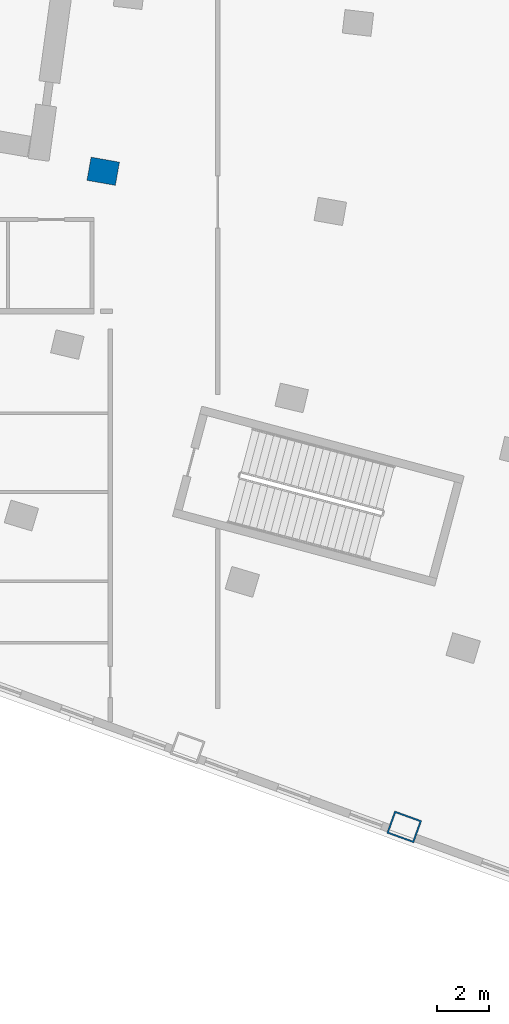
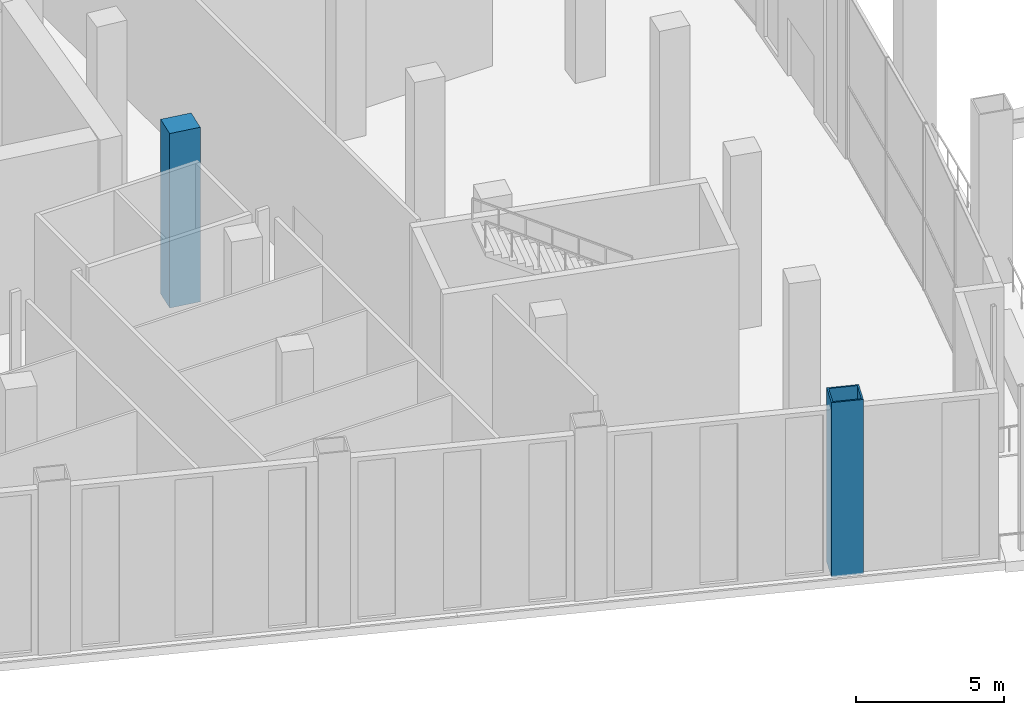
# One storey, part 3 of 27: 2 columns.
"""IFC4 building model written with IfcOpenShell, lengths in metres."""

from ifc_helpers import new_model, si_unit, direction, frame, origin, origin_2d, place, context, subcontext, project, spatial, rectangle, hollow_rectangle, extrude, material, material_profile, profile_set, type_object, element, save


model = new_model("IFC4")

# Units and contexts
model_context = context("Model", 3, precision=1e-05, world=origin(), true_north=direction((0.0, 1.0)))
body_context = subcontext(model_context, "Body", "Model", "MODEL_VIEW")
ifc_project = project(units=[si_unit("LENGTHUNIT", "METRE"), si_unit("AREAUNIT", "SQUARE_METRE"), si_unit("VOLUMEUNIT", "CUBIC_METRE"), si_unit("PLANEANGLEUNIT", "RADIAN"), si_unit("MASSUNIT", "GRAM", prefix="KILO")], contexts=[model_context])

# Site, building, storey
site_placement = place(None, origin())
site = spatial("IfcSite", under=ifc_project, at=site_placement, CompositionType="ELEMENT")
building_placement = place(site_placement, origin())
building = spatial("IfcBuilding", under=site, at=building_placement, Name="Alderwake Tower", CompositionType="ELEMENT")
storey_placement = place(building_placement, frame((0.0, 0.0, 75.199951171875)))
storey = spatial("IfcBuildingStorey", under=building, at=storey_placement, Name="L18", CompositionType="ELEMENT", Elevation=75.199951171875)

# Columns
ifc_material_1 = material(Name="Steel ASTM A572 Grade 50 concrete filled C70/85", Category="concrete")
ifc_material_profile_1 = material_profile(ifc_material_1, hollow_rectangle(XDim=0.89990234375, YDim=1.10009765625, WallThickness=0.06005859375, at=origin_2d()), Name="BOX 1100X900X60")
ifc_profile_set_1 = profile_set([ifc_material_profile_1], Name="Steel ASTM A572 Grade 50 concrete filled C70/85")
column_type_1 = type_object("IfcColumnType", Name="End column Z1", PredefinedType="COLUMN", material=ifc_profile_set_1)
column_1_placement = place(storey_placement, frame((45.516845703125, 15.821533203125, 0.0), z_axis=(0.0, 0.0, 1.0), x_axis=(0.338668949173, 0.940905597213, 0.0)))
element("IfcColumn", 1, at=column_1_placement, inside=storey, type_object=column_type_1, Name="Column R01-C4", PredefinedType="COLUMN", context=body_context, shape_type="SweptSolid", body=[
    extrude(hollow_rectangle(XDim=0.89990234375, YDim=1.10009765625, WallThickness=0.06005859375, at=origin_2d()), origin(), (0.0, 0.0, 1.0), 7.199951171875),
])
ifc_material_2 = material(Name="Concrete C70/85", Category="concrete")
ifc_material_profile_2 = material_profile(ifc_material_2, rectangle(XDim=0.89990234375, YDim=1.10009765625, at=origin_2d()), Name="RC 1100X900")
ifc_profile_set_2 = profile_set([ifc_material_profile_2], Name="Concrete C70/85")
column_type_2 = type_object("IfcColumnType", Name="Interior column Z1", PredefinedType="COLUMN", material=ifc_profile_set_2)
column_2_placement = place(storey_placement, frame((34.03125, 40.83837890625, 0.0), z_axis=(0.0, 0.0, 1.0), x_axis=(0.174108800747, 0.984726421654, 0.0)))
element("IfcColumn", 2, at=column_2_placement, inside=storey, type_object=column_type_2, Name="Column R04-C2", PredefinedType="COLUMN", context=body_context, shape_type="SweptSolid", body=[
    extrude(rectangle(XDim=0.89990234375, YDim=1.10009765625, at=origin_2d()), origin(), (0.0, 0.0, 1.0), 7.199951171875),
])

save(model, "model.ifc")
